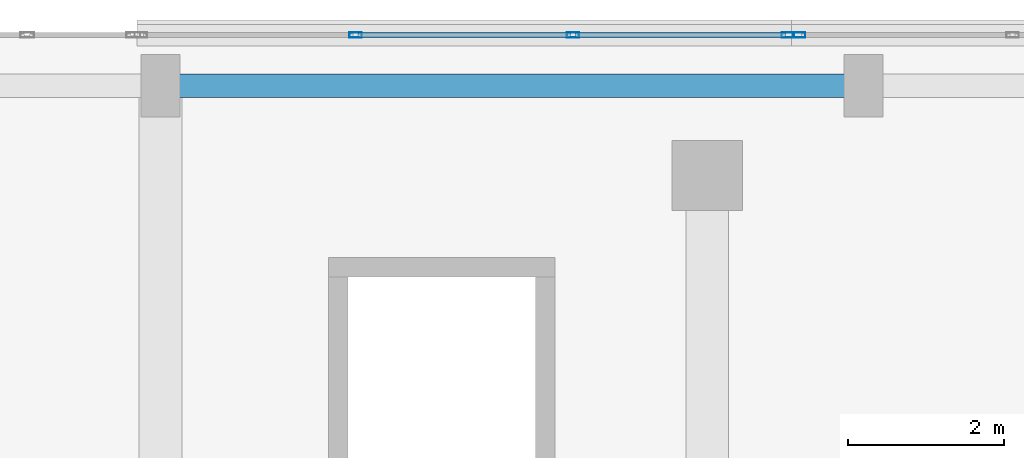
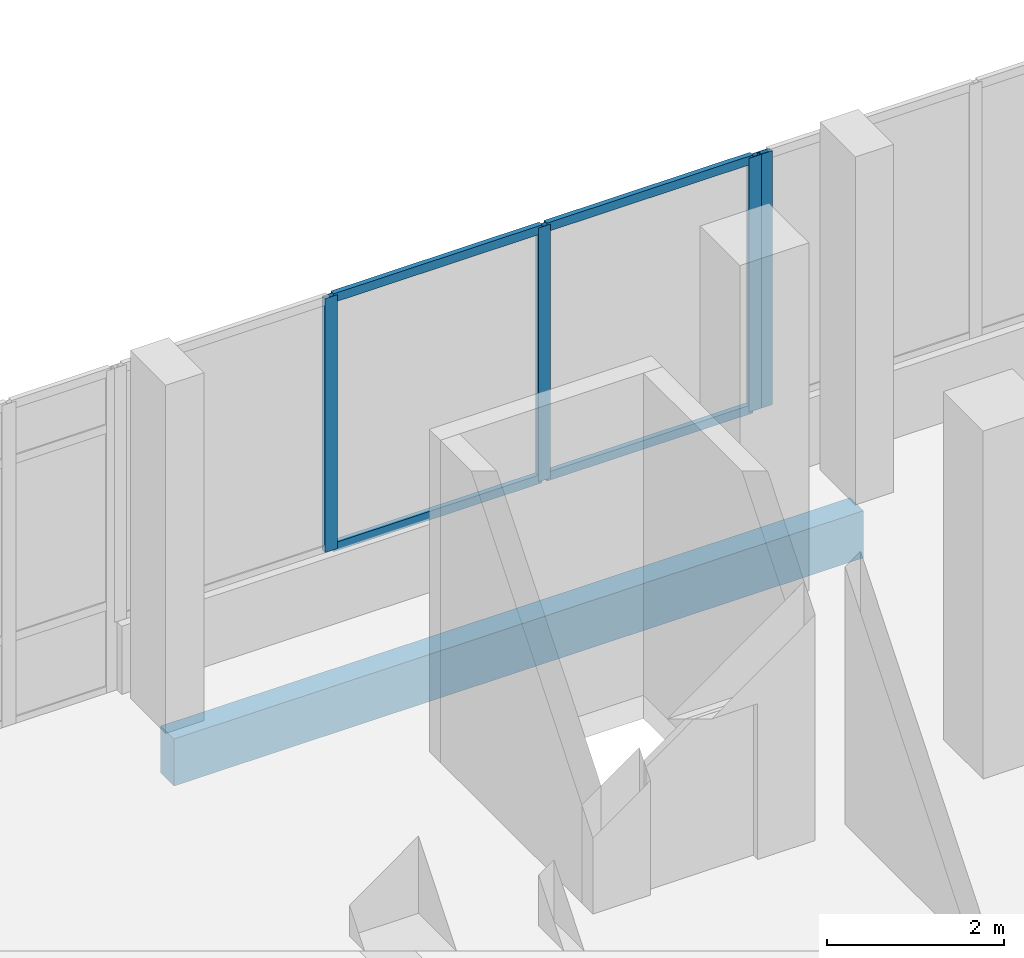
# One storey, part 116 of 168: 8 members, 1 beam, 2 elements without a shape of their own.
"""IFC4 building model written with IfcOpenShell, lengths in metres."""

from ifc_helpers import new_model, si_unit, direction, frame, origin, origin_2d, place, context, subcontext, project, spatial, rectangle, hollow_rectangle, extrude, material, material_profile, profile_set, type_object, element, aggregate, save


model = new_model("IFC4")

# Units and contexts
model_context = context("Model", 3, precision=1e-05, world=origin(), true_north=direction((0.0, 1.0)))
body_context = subcontext(model_context, "Body", "Model", "MODEL_VIEW")
ifc_project = project(units=[si_unit("LENGTHUNIT", "METRE"), si_unit("AREAUNIT", "SQUARE_METRE"), si_unit("VOLUMEUNIT", "CUBIC_METRE"), si_unit("PLANEANGLEUNIT", "RADIAN"), si_unit("MASSUNIT", "GRAM", prefix="KILO")], contexts=[model_context])

# Site, building, storey
site_placement = place(None, origin())
site = spatial("IfcSite", under=ifc_project, at=site_placement, CompositionType="ELEMENT")
building_placement = place(site_placement, origin())
building = spatial("IfcBuilding", under=site, at=building_placement, Name="Selatvlak General Hospital", CompositionType="ELEMENT")
storey_placement = place(building_placement, frame((0.0, 0.0, 5.39990234375)))
storey = spatial("IfcBuildingStorey", under=building, at=storey_placement, Name="L01", CompositionType="ELEMENT", Elevation=5.39990234375)

# Beam
ifc_material_1 = material(Name="Concrete C40/50", Category="concrete")
ifc_material_profile_1 = material_profile(ifc_material_1, rectangle(XDim=0.300048828125, YDim=0.64990234375, at=origin_2d()), Name="RC-SP 300x650")
ifc_profile_set_1 = profile_set([ifc_material_profile_1], Name="Concrete C40/50")
beam_type = type_object("IfcBeamType", Name="BM-SP1", PredefinedType="SPANDREL", material=ifc_profile_set_1)
beam_placement = place(storey_placement, frame((140.39990234375, 119.35009765625, -0.64501953125), z_axis=(1.0, 0.0, 0.0), x_axis=(0.0, 1.0, 0.0)))
element("IfcBeam", 1, at=beam_placement, inside=storey, type_object=beam_type, Name="Beam BMR-L01-0535", PredefinedType="SPANDREL", context=body_context, shape_type="SweptSolid", body=[
    extrude(rectangle(XDim=0.300048828125, YDim=0.64990234375, at=origin_2d()), origin(), (0.0, 0.0, 1.0), 9.0),
])

# Curtain wall, members
ifc_material_2 = material(Name="Solar-control Low-E double glazing", Category="glass")
curtain_wall_type_1 = type_object("IfcCurtainWallType", Name="CW-CW-02", PredefinedType="USERDEFINED", material=ifc_material_2)
curtain_wall_1_placement = place(storey_placement, origin())
curtain_wall_1 = element("IfcCurtainWall", 2, at=curtain_wall_1_placement, inside=storey, type_object=curtain_wall_type_1, Name="Glazed facade curtain wall CW-L01-0127", ObjectType="UNITISED CURTAIN WALL", PredefinedType="USERDEFINED")
ifc_material_3 = material(Name="Dark anodised aluminium mullion", Category="aluminium")
ifc_material_profile_2 = material_profile(ifc_material_3, hollow_rectangle(XDim=0.06494140625, YDim=0.159912109375, WallThickness=0.00390625, at=origin_2d()), Name="AL-MUL 65x160x4")
ifc_profile_set_2 = profile_set([ifc_material_profile_2], Name="Dark anodised aluminium mullion")
member_type_1 = type_object("IfcMemberType", Name="CWM-01", PredefinedType="MULLION", material=ifc_profile_set_2)
member_1_placement = place(storey_placement, frame((142.897216796875, 120.0, 0.940185546875), z_axis=(0.0, 0.0, 1.0), x_axis=(0.0, 1.0, 0.0)))
member_1 = element("IfcMember", 3, at=member_1_placement, type_object=member_type_1, Name="CW-02 mullion 2", PredefinedType="MULLION", context=body_context, shape_type="SweptSolid", body=[
    extrude(hollow_rectangle(XDim=0.06494140625, YDim=0.159912109375, WallThickness=0.00390625, at=origin_2d()), origin(), (0.0, 0.0, 1.0), 3.5048828125),
])
member_2_placement = place(storey_placement, frame((145.6806640625, 120.0, 0.940185546875), z_axis=(0.0, 0.0, 1.0), x_axis=(0.0, 1.0, 0.0)))
member_2 = element("IfcMember", 4, at=member_2_placement, type_object=member_type_1, Name="CW-02 mullion 3", PredefinedType="MULLION", context=body_context, shape_type="SweptSolid", body=[
    extrude(hollow_rectangle(XDim=0.06494140625, YDim=0.159912109375, WallThickness=0.00390625, at=origin_2d()), origin(), (0.0, 0.0, 1.0), 3.5048828125),
])
member_3_placement = place(storey_placement, frame((148.431396484375, 120.0, 0.940185546875), z_axis=(0.0, 0.0, 1.0), x_axis=(0.0, 1.0, 0.0)))
member_3 = element("IfcMember", 5, at=member_3_placement, type_object=member_type_1, Name="CW-02 mullion 4", PredefinedType="MULLION", context=body_context, shape_type="SweptSolid", body=[
    extrude(hollow_rectangle(XDim=0.06494140625, YDim=0.159912109375, WallThickness=0.00390625, at=origin_2d()), origin(), (0.0, 0.0, 1.0), 3.5048828125),
])

# Curtain wall, member
curtain_wall_type_2 = type_object("IfcCurtainWallType", Name="CW-CW-01", PredefinedType="USERDEFINED", material=ifc_material_2)
curtain_wall_2_placement = place(storey_placement, origin())
curtain_wall_2 = element("IfcCurtainWall", 6, at=curtain_wall_2_placement, inside=storey, type_object=curtain_wall_type_2, Name="Glazed facade curtain wall CW-L01-0128", ObjectType="UNITISED CURTAIN WALL", PredefinedType="USERDEFINED")
member_4_placement = place(storey_placement, frame((148.576416015625, 120.0, 0.940185546875), z_axis=(0.0, 0.0, 1.0), x_axis=(0.0, 1.0, 0.0)))
member_4 = element("IfcMember", 7, at=member_4_placement, type_object=member_type_1, Name="CW-01 mullion 1", PredefinedType="MULLION", context=body_context, shape_type="SweptSolid", body=[
    extrude(hollow_rectangle(XDim=0.06494140625, YDim=0.159912109375, WallThickness=0.00390625, at=origin_2d()), origin(), (0.0, 0.0, 1.0), 3.5048828125),
])
aggregate(curtain_wall_2, [member_4])

# Member
ifc_material_profile_3 = material_profile(ifc_material_3, hollow_rectangle(XDim=0.06494140625, YDim=0.1201171875, WallThickness=0.00390625, at=origin_2d()), Name="AL-TRN 65x120x4")
ifc_profile_set_3 = profile_set([ifc_material_profile_3], Name="Dark anodised aluminium mullion")
member_type_2 = type_object("IfcMemberType", Name="CWT-01", PredefinedType="USERDEFINED", material=ifc_profile_set_3)
member_5_placement = place(storey_placement, frame((142.929931640625, 120.0, 0.97265625), z_axis=(1.0, 0.0, 0.0), x_axis=(0.0, 1.0, 0.0)))
member_5 = element("IfcMember", 8, at=member_5_placement, type_object=member_type_2, Name="CW-02 transom 2.1", ObjectType="TRANSOM", PredefinedType="USERDEFINED", context=body_context, shape_type="SweptSolid", body=[
    extrude(hollow_rectangle(XDim=0.06494140625, YDim=0.1201171875, WallThickness=0.00390625, at=origin_2d()), origin(), (0.0, 0.0, 1.0), 2.71826171875),
])

member_6_placement = place(storey_placement, frame((142.929931640625, 120.0, 4.41259765625), z_axis=(1.0, 0.0, 0.0), x_axis=(0.0, 1.0, 0.0)))
member_6 = element("IfcMember", 9, at=member_6_placement, type_object=member_type_2, Name="CW-02 transom 2.2", ObjectType="TRANSOM", PredefinedType="USERDEFINED", context=body_context, shape_type="SweptSolid", body=[
    extrude(hollow_rectangle(XDim=0.06494140625, YDim=0.1201171875, WallThickness=0.00390625, at=origin_2d()), origin(), (0.0, 0.0, 1.0), 2.71826171875),
])

member_7_placement = place(storey_placement, frame((145.713134765625, 120.0, 0.97265625), z_axis=(1.0, 0.0, 0.0), x_axis=(0.0, 1.0, 0.0)))
member_7 = element("IfcMember", 10, at=member_7_placement, type_object=member_type_2, Name="CW-02 transom 3.1", ObjectType="TRANSOM", PredefinedType="USERDEFINED", context=body_context, shape_type="SweptSolid", body=[
    extrude(hollow_rectangle(XDim=0.06494140625, YDim=0.1201171875, WallThickness=0.00390625, at=origin_2d()), origin(), (0.0, 0.0, 1.0), 2.685791015625),
])

member_8_placement = place(storey_placement, frame((145.713134765625, 120.0, 4.41259765625), z_axis=(1.0, 0.0, 0.0), x_axis=(0.0, 1.0, 0.0)))
member_8 = element("IfcMember", 11, at=member_8_placement, type_object=member_type_2, Name="CW-02 transom 3.2", ObjectType="TRANSOM", PredefinedType="USERDEFINED", context=body_context, shape_type="SweptSolid", body=[
    extrude(hollow_rectangle(XDim=0.06494140625, YDim=0.1201171875, WallThickness=0.00390625, at=origin_2d()), origin(), (0.0, 0.0, 1.0), 2.685791015625),
])

aggregate(curtain_wall_1, [member_1, member_2, member_3, member_5, member_6, member_7, member_8])

save(model, "model.ifc")
